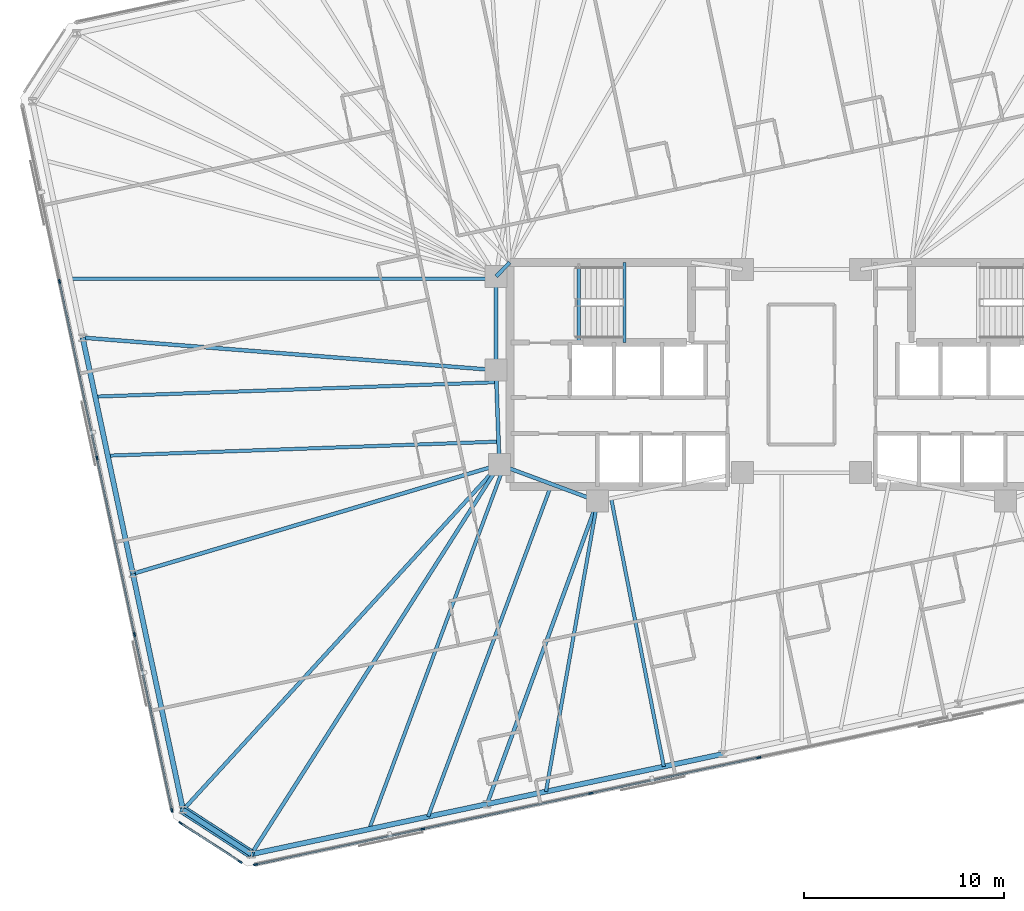
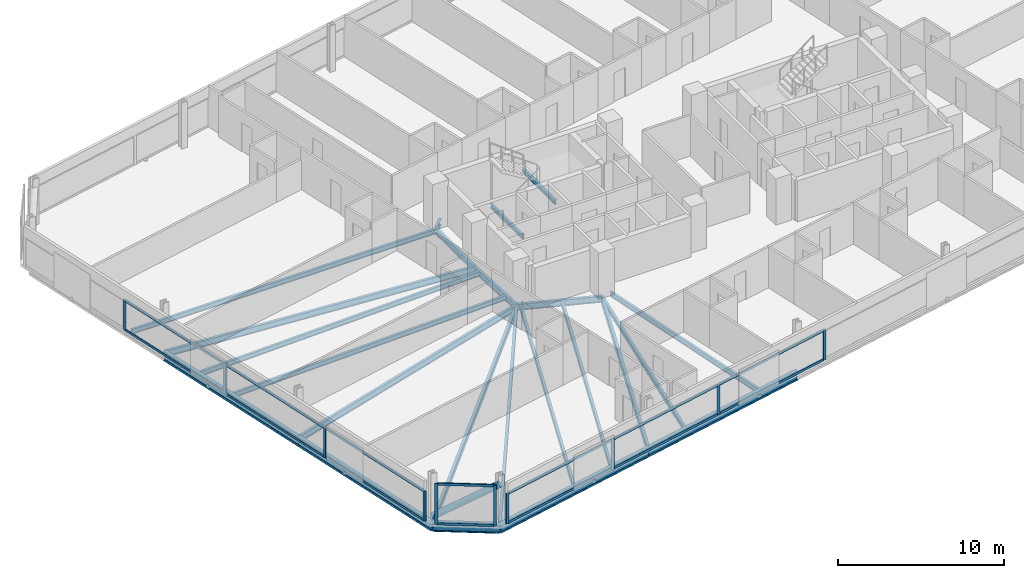
# One storey, part 6 of 20: 25 members, 23 beams, 3 elements without a shape of their own.
"""IFC4 building model written with IfcOpenShell, lengths in metres."""

from ifc_helpers import new_model, si_unit, direction, frame, origin, origin_2d, place, context, subcontext, project, spatial, rectangle, hollow_circle, i_section, extrude, material, material_profile, profile_set, type_object, element, aggregate, save


model = new_model("IFC4")

# Units and contexts
model_context = context("Model", 3, precision=1e-05, world=origin(), true_north=direction((0.0, 1.0)))
body_context = subcontext(model_context, "Body", "Model", "MODEL_VIEW")
ifc_project = project(units=[si_unit("LENGTHUNIT", "METRE"), si_unit("AREAUNIT", "SQUARE_METRE"), si_unit("VOLUMEUNIT", "CUBIC_METRE"), si_unit("PLANEANGLEUNIT", "RADIAN"), si_unit("MASSUNIT", "GRAM", prefix="KILO")], contexts=[model_context])

# Site, building, storey
site_placement = place(None, origin())
site = spatial("IfcSite", under=ifc_project, at=site_placement, CompositionType="ELEMENT")
building_placement = place(site_placement, origin())
building = spatial("IfcBuilding", under=site, at=building_placement, Name="Menara Jurai Vektor", CompositionType="ELEMENT")
storey_placement = place(building_placement, frame((0.0, 0.0, 199.0)))
storey = spatial("IfcBuildingStorey", under=building, at=storey_placement, Name="L52", CompositionType="ELEMENT", Elevation=199.0)

# Curtain wall, members
ifc_material_1 = material(Name="Anodised Pale Aluminium & Low-E Double Glazing", Category="aluminium")
curtain_wall_type = type_object("IfcCurtainWallType", Name="CW-BLK3", PredefinedType="NOTDEFINED", material=ifc_material_1)
curtain_wall_1_placement = place(storey_placement, origin())
curtain_wall_1 = element("IfcCurtainWall", 1, at=curtain_wall_1_placement, inside=storey, type_object=curtain_wall_type, Name="Unitised Curtain Wall L52 F01", PredefinedType="NOTDEFINED")
ifc_material_2 = material(Name="Anodised Pale Aluminium Mullion", Category="aluminium")
ifc_material_profile_1 = material_profile(ifc_material_2, rectangle(XDim=0.0849609375, YDim=0.205078125, at=origin_2d()), Name="ALU MUL 85x205")
ifc_profile_set_1 = profile_set([ifc_material_profile_1], Name="Anodised Pale Aluminium Mullion")
member_type_1 = type_object("IfcMemberType", Name="CW-BLK3-MUL", PredefinedType="MULLION", material=ifc_profile_set_1)
member_1_placement = place(storey_placement, frame((-27.25244140625, -24.462890625, 0.0), z_axis=(0.0, 0.0, 1.0), x_axis=(-0.207911344156, 0.978147674419, 0.0)))
member_1 = element("IfcMember", 2, at=member_1_placement, type_object=member_type_1, Name="CW-03 mullion 1", PredefinedType="MULLION", context=body_context, shape_type="SweptSolid", body=[
    extrude(rectangle(XDim=0.0849609375, YDim=0.205078125, at=origin_2d()), origin(), (0.0, 0.0, 1.0), 2.22509765625),
])
member_2_placement = place(storey_placement, frame((-18.904296875, -22.6884765625, 0.0), z_axis=(0.0, 0.0, 1.0), x_axis=(-0.207911344156, 0.978147674419, 0.0)))
member_2 = element("IfcMember", 3, at=member_2_placement, type_object=member_type_1, Name="CW-03 mullion 2", PredefinedType="MULLION", context=body_context, shape_type="SweptSolid", body=[
    extrude(rectangle(XDim=0.0849609375, YDim=0.205078125, at=origin_2d()), origin(), (0.0, 0.0, 1.0), 2.22509765625),
])
member_3_placement = place(storey_placement, frame((-10.514404296875, -20.905029296875, 0.0), z_axis=(0.0, 0.0, 1.0), x_axis=(-0.207911344156, 0.978147674419, 0.0)))
member_3 = element("IfcMember", 4, at=member_3_placement, type_object=member_type_1, Name="CW-03 mullion 3", PredefinedType="MULLION", context=body_context, shape_type="SweptSolid", body=[
    extrude(rectangle(XDim=0.0849609375, YDim=0.205078125, at=origin_2d()), origin(), (0.0, 0.0, 1.0), 2.22509765625),
])
member_4_placement = place(storey_placement, frame((-2.124755859375, -19.121826171875, 0.0), z_axis=(0.0, 0.0, 1.0), x_axis=(-0.207911344156, 0.978147674419, 0.0)))
member_4 = element("IfcMember", 5, at=member_4_placement, type_object=member_type_1, Name="CW-03 mullion 4", PredefinedType="MULLION", context=body_context, shape_type="SweptSolid", body=[
    extrude(rectangle(XDim=0.0849609375, YDim=0.205078125, at=origin_2d()), origin(), (0.0, 0.0, 1.0), 2.22509765625),
])

curtain_wall_2_placement = place(storey_placement, origin())
curtain_wall_2 = element("IfcCurtainWall", 6, at=curtain_wall_2_placement, inside=storey, type_object=curtain_wall_type, Name="Unitised Curtain Wall L52 F07", PredefinedType="NOTDEFINED")
member_5_placement = place(storey_placement, frame((-37.041259765625, 4.648193359375, 0.0), z_axis=(0.0, 0.0, 1.0), x_axis=(0.978147883949, 0.20791035839, 0.0)))
member_5 = element("IfcMember", 7, at=member_5_placement, type_object=member_type_1, Name="CW-03 mullion 2", PredefinedType="MULLION", context=body_context, shape_type="SweptSolid", body=[
    extrude(rectangle(XDim=0.0849609375, YDim=0.205078125, at=origin_2d()), origin(), (0.0, 0.0, 1.0), 2.22509765625),
])
member_6_placement = place(storey_placement, frame((-35.16796875, -4.1650390625, 0.0), z_axis=(0.0, 0.0, 1.0), x_axis=(0.978147883949, 0.20791035839, 0.0)))
member_6 = element("IfcMember", 8, at=member_6_placement, type_object=member_type_1, Name="CW-03 mullion 3", PredefinedType="MULLION", context=body_context, shape_type="SweptSolid", body=[
    extrude(rectangle(XDim=0.0849609375, YDim=0.205078125, at=origin_2d()), origin(), (0.0, 0.0, 1.0), 2.22509765625),
])
member_7_placement = place(storey_placement, frame((-33.294677734375, -12.978271484375, 0.0), z_axis=(0.0, 0.0, 1.0), x_axis=(0.978147883949, 0.20791035839, 0.0)))
member_7 = element("IfcMember", 9, at=member_7_placement, type_object=member_type_1, Name="CW-03 mullion 4", PredefinedType="MULLION", context=body_context, shape_type="SweptSolid", body=[
    extrude(rectangle(XDim=0.0849609375, YDim=0.205078125, at=origin_2d()), origin(), (0.0, 0.0, 1.0), 2.22509765625),
])
member_8_placement = place(storey_placement, frame((-31.43017578125, -21.749755859375, 0.0), z_axis=(0.0, 0.0, 1.0), x_axis=(0.978147883949, 0.20791035839, 0.0)))
member_8 = element("IfcMember", 10, at=member_8_placement, type_object=member_type_1, Name="CW-03 mullion 5", PredefinedType="MULLION", context=body_context, shape_type="SweptSolid", body=[
    extrude(rectangle(XDim=0.0849609375, YDim=0.205078125, at=origin_2d()), origin(), (0.0, 0.0, 1.0), 2.22509765625),
])

curtain_wall_3_placement = place(storey_placement, origin())
curtain_wall_3 = element("IfcCurtainWall", 11, at=curtain_wall_3_placement, inside=storey, type_object=curtain_wall_type, Name="Unitised Curtain Wall L52 F08", PredefinedType="NOTDEFINED")
member_9_placement = place(storey_placement, frame((-30.988037109375, -22.39306640625, 0.0), z_axis=(0.0, 0.0, 1.0), x_axis=(0.544617794346, 0.838684361415, 0.0)))
member_9 = element("IfcMember", 12, at=member_9_placement, type_object=member_type_1, Name="CW-03 mullion 1", PredefinedType="MULLION", context=body_context, shape_type="SweptSolid", body=[
    extrude(rectangle(XDim=0.0849609375, YDim=0.205078125, at=origin_2d()), origin(), (0.0, 0.0, 1.0), 2.9951171875),
])
member_10_placement = place(storey_placement, frame((-28.02001953125, -24.320556640625, 0.0), z_axis=(0.0, 0.0, 1.0), x_axis=(0.544617794346, 0.838684361415, 0.0)))
member_10 = element("IfcMember", 13, at=member_10_placement, type_object=member_type_1, Name="CW-03 mullion 2", PredefinedType="MULLION", context=body_context, shape_type="SweptSolid", body=[
    extrude(rectangle(XDim=0.0849609375, YDim=0.205078125, at=origin_2d()), origin(), (0.0, 0.0, 1.0), 2.9951171875),
])

# Member
ifc_material_3 = material(Name="Anodised Pale Aluminium Transom", Category="aluminium")
ifc_material_profile_2 = material_profile(ifc_material_3, rectangle(XDim=0.0849609375, YDim=0.175048828125, at=origin_2d()), Name="ALU TRN 85x175")
ifc_profile_set_2 = profile_set([ifc_material_profile_2], Name="Anodised Pale Aluminium Transom")
member_type_2 = type_object("IfcMemberType", Name="CW-BLK3-TRN", PredefinedType="USERDEFINED", material=ifc_profile_set_2)
member_11_placement = place(storey_placement, frame((-27.210693359375, -24.4541015625, 0.04248046875), z_axis=(0.978145704369, 0.207920612313, 0.0), x_axis=(-0.207920612313, 0.978145704369, 0.0)))
member_11 = element("IfcMember", 14, at=member_11_placement, type_object=member_type_2, Name="CW-03 transom 1.1", ObjectType="TRANSOM", PredefinedType="USERDEFINED", context=body_context, shape_type="SweptSolid", body=[
    extrude(rectangle(XDim=0.0849609375, YDim=0.175048828125, at=origin_2d()), origin(), (0.0, 0.0, 1.0), 8.449462890625),
])

member_12_placement = place(storey_placement, frame((-27.210693359375, -24.4541015625, 2.1826171875), z_axis=(0.978145704369, 0.207920612313, 0.0), x_axis=(-0.207920612313, 0.978145704369, 0.0)))
member_12 = element("IfcMember", 15, at=member_12_placement, type_object=member_type_2, Name="CW-03 transom 1.2", ObjectType="TRANSOM", PredefinedType="USERDEFINED", context=body_context, shape_type="SweptSolid", body=[
    extrude(rectangle(XDim=0.0849609375, YDim=0.175048828125, at=origin_2d()), origin(), (0.0, 0.0, 1.0), 8.449462890625),
])

member_13_placement = place(storey_placement, frame((-18.862548828125, -22.6796875, 0.04248046875), z_axis=(0.978146500933, 0.207916864907, 0.0), x_axis=(-0.207916864907, 0.978146500933, 0.0)))
member_13 = element("IfcMember", 16, at=member_13_placement, type_object=member_type_2, Name="CW-03 transom 2.1", ObjectType="TRANSOM", PredefinedType="USERDEFINED", context=body_context, shape_type="SweptSolid", body=[
    extrude(rectangle(XDim=0.0849609375, YDim=0.175048828125, at=origin_2d()), origin(), (0.0, 0.0, 1.0), 8.491943359375),
])

member_14_placement = place(storey_placement, frame((-18.862548828125, -22.6796875, 2.1826171875), z_axis=(0.978146500933, 0.207916864907, 0.0), x_axis=(-0.207916864907, 0.978146500933, 0.0)))
member_14 = element("IfcMember", 17, at=member_14_placement, type_object=member_type_2, Name="CW-03 transom 2.2", ObjectType="TRANSOM", PredefinedType="USERDEFINED", context=body_context, shape_type="SweptSolid", body=[
    extrude(rectangle(XDim=0.0849609375, YDim=0.175048828125, at=origin_2d()), origin(), (0.0, 0.0, 1.0), 8.491943359375),
])

member_15_placement = place(storey_placement, frame((-10.472900390625, -20.896240234375, 0.04248046875), z_axis=(0.978147743708, 0.207911018178, 0.0), x_axis=(-0.207911018178, 0.978147743708, 0.0)))
member_15 = element("IfcMember", 18, at=member_15_placement, type_object=member_type_2, Name="CW-03 transom 3.1", ObjectType="TRANSOM", PredefinedType="USERDEFINED", context=body_context, shape_type="SweptSolid", body=[
    extrude(rectangle(XDim=0.0849609375, YDim=0.175048828125, at=origin_2d()), origin(), (0.0, 0.0, 1.0), 8.4921875),
])

member_16_placement = place(storey_placement, frame((-10.472900390625, -20.896240234375, 2.1826171875), z_axis=(0.978147743708, 0.207911018178, 0.0), x_axis=(-0.207911018178, 0.978147743708, 0.0)))
member_16 = element("IfcMember", 19, at=member_16_placement, type_object=member_type_2, Name="CW-03 transom 3.2", ObjectType="TRANSOM", PredefinedType="USERDEFINED", context=body_context, shape_type="SweptSolid", body=[
    extrude(rectangle(XDim=0.0849609375, YDim=0.175048828125, at=origin_2d()), origin(), (0.0, 0.0, 1.0), 8.4921875),
])

aggregate(curtain_wall_1, [member_1, member_2, member_3, member_4, member_11, member_12, member_13, member_14, member_15, member_16])

member_17_placement = place(storey_placement, frame((-37.032470703125, 4.6064453125, 0.04248046875), z_axis=(0.207922224243, -0.978145361726, 0.0), x_axis=(0.978145361726, 0.207922224243, 0.0)))
member_17 = element("IfcMember", 20, at=member_17_placement, type_object=member_type_2, Name="CW-03 transom 2.1", ObjectType="TRANSOM", PredefinedType="USERDEFINED", context=body_context, shape_type="SweptSolid", body=[
    extrude(rectangle(XDim=0.0849609375, YDim=0.175048828125, at=origin_2d()), origin(), (0.0, 0.0, 1.0), 8.925048828125),
])

member_18_placement = place(storey_placement, frame((-37.032470703125, 4.6064453125, 2.1826171875), z_axis=(0.207922224243, -0.978145361726, 0.0), x_axis=(0.978145361726, 0.207922224243, 0.0)))
member_18 = element("IfcMember", 21, at=member_18_placement, type_object=member_type_2, Name="CW-03 transom 2.2", ObjectType="TRANSOM", PredefinedType="USERDEFINED", context=body_context, shape_type="SweptSolid", body=[
    extrude(rectangle(XDim=0.0849609375, YDim=0.175048828125, at=origin_2d()), origin(), (0.0, 0.0, 1.0), 8.925048828125),
])

member_19_placement = place(storey_placement, frame((-35.1591796875, -4.20654296875, 0.04248046875), z_axis=(0.207922224243, -0.978145361726, 0.0), x_axis=(0.978145361726, 0.207922224243, 0.0)))
member_19 = element("IfcMember", 22, at=member_19_placement, type_object=member_type_2, Name="CW-03 transom 3.1", ObjectType="TRANSOM", PredefinedType="USERDEFINED", context=body_context, shape_type="SweptSolid", body=[
    extrude(rectangle(XDim=0.0849609375, YDim=0.175048828125, at=origin_2d()), origin(), (0.0, 0.0, 1.0), 8.925048828125),
])

member_20_placement = place(storey_placement, frame((-35.1591796875, -4.20654296875, 2.1826171875), z_axis=(0.207922224243, -0.978145361726, 0.0), x_axis=(0.978145361726, 0.207922224243, 0.0)))
member_20 = element("IfcMember", 23, at=member_20_placement, type_object=member_type_2, Name="CW-03 transom 3.2", ObjectType="TRANSOM", PredefinedType="USERDEFINED", context=body_context, shape_type="SweptSolid", body=[
    extrude(rectangle(XDim=0.0849609375, YDim=0.175048828125, at=origin_2d()), origin(), (0.0, 0.0, 1.0), 8.925048828125),
])

member_21_placement = place(storey_placement, frame((-33.285888671875, -13.019775390625, 0.04248046875), z_axis=(0.207925814542, -0.978144598537, 0.0), x_axis=(0.978144598537, 0.207925814542, 0.0)))
member_21 = element("IfcMember", 24, at=member_21_placement, type_object=member_type_2, Name="CW-03 transom 4.1", ObjectType="TRANSOM", PredefinedType="USERDEFINED", context=body_context, shape_type="SweptSolid", body=[
    extrude(rectangle(XDim=0.0849609375, YDim=0.175048828125, at=origin_2d()), origin(), (0.0, 0.0, 1.0), 8.882568359375),
])

member_22_placement = place(storey_placement, frame((-33.285888671875, -13.019775390625, 2.1826171875), z_axis=(0.207925814542, -0.978144598537, 0.0), x_axis=(0.978144598537, 0.207925814542, 0.0)))
member_22 = element("IfcMember", 25, at=member_22_placement, type_object=member_type_2, Name="CW-03 transom 4.2", ObjectType="TRANSOM", PredefinedType="USERDEFINED", context=body_context, shape_type="SweptSolid", body=[
    extrude(rectangle(XDim=0.0849609375, YDim=0.175048828125, at=origin_2d()), origin(), (0.0, 0.0, 1.0), 8.882568359375),
])

aggregate(curtain_wall_2, [member_5, member_6, member_7, member_8, member_17, member_18, member_19, member_20, member_21, member_22])

member_23_placement = place(storey_placement, frame((-30.952392578125, -22.416259765625, 0.04248046875), z_axis=(0.83867770631, -0.54462804274, 0.0), x_axis=(0.54462804274, 0.83867770631, 0.0)))
member_23 = element("IfcMember", 26, at=member_23_placement, type_object=member_type_2, Name="CW-03 transom 1.1", ObjectType="TRANSOM", PredefinedType="USERDEFINED", context=body_context, shape_type="SweptSolid", body=[
    extrude(rectangle(XDim=0.0849609375, YDim=0.175048828125, at=origin_2d()), origin(), (0.0, 0.0, 1.0), 3.453857421875),
])

member_24_placement = place(storey_placement, frame((-30.952392578125, -22.416259765625, 2.952392578125), z_axis=(0.83867770631, -0.54462804274, 0.0), x_axis=(0.54462804274, 0.83867770631, 0.0)))
member_24 = element("IfcMember", 27, at=member_24_placement, type_object=member_type_2, Name="CW-03 transom 1.2", ObjectType="TRANSOM", PredefinedType="USERDEFINED", context=body_context, shape_type="SweptSolid", body=[
    extrude(rectangle(XDim=0.0849609375, YDim=0.175048828125, at=origin_2d()), origin(), (0.0, 0.0, 1.0), 3.453857421875),
])

aggregate(curtain_wall_3, [member_9, member_10, member_23, member_24])

# Beams
ifc_material_4 = material(Name="Steel S355", Category="steel")
ifc_material_profile_3 = material_profile(ifc_material_4, i_section(OverallWidth=0.19091796875, OverallDepth=0.4599609375, WebThickness=0.010009765625, FlangeThickness=0.01611328125, FilletRadius=0.010009765625, at=origin_2d()), Name="UKB 457x191x82")
ifc_profile_set_3 = profile_set([ifc_material_profile_3], Name="Steel S355")
beam_type_1 = type_object("IfcBeamType", Name="STR-BM-457", PredefinedType="BEAM", material=ifc_profile_set_3)
beam_1_placement = place(storey_placement, frame((-15.25, 4.89990234375, -0.455078125), z_axis=(0.701871936926, 0.712303154672, 0.0), x_axis=(-0.712303154672, 0.701871936926, 0.0)))
element("IfcBeam", 28, at=beam_1_placement, inside=storey, type_object=beam_type_1, Name="Core Ring Header Girder L52-CHW-N1", PredefinedType="BEAM", context=body_context, shape_type="SweptSolid", body=[
    extrude(i_section(OverallWidth=0.19091796875, OverallDepth=0.4599609375, WebThickness=0.010009765625, FlangeThickness=0.01611328125, FilletRadius=0.010009765625, at=origin_2d()), origin(), (0.0, 0.0, 1.0), 0.98291015625),
])
beam_2_placement = place(storey_placement, frame((-15.25, 0.219970703125, -0.455078125), z_axis=(0.0, 1.0, 0.0), x_axis=(-1.0, 0.0, 0.0)))
element("IfcBeam", 29, at=beam_2_placement, inside=storey, type_object=beam_type_1, Name="Core Ring Header Girder L52-CHW-W1", PredefinedType="BEAM", context=body_context, shape_type="SweptSolid", body=[
    extrude(i_section(OverallWidth=0.19091796875, OverallDepth=0.4599609375, WebThickness=0.010009765625, FlangeThickness=0.01611328125, FilletRadius=0.010009765625, at=origin_2d()), origin(), (0.0, 0.0, 1.0), 4.679931640625),
])
beam_3_placement = place(storey_placement, frame((-15.080078125, -4.5, -0.455078125), z_axis=(-0.035977314146, 0.999352606874, 0.0), x_axis=(-0.999352606874, -0.035977314146, 0.0)))
element("IfcBeam", 30, at=beam_3_placement, inside=storey, type_object=beam_type_1, Name="Core Ring Header Girder L52-CHW-W2", PredefinedType="BEAM", context=body_context, shape_type="SweptSolid", body=[
    extrude(i_section(OverallWidth=0.19091796875, OverallDepth=0.4599609375, WebThickness=0.010009765625, FlangeThickness=0.01611328125, FilletRadius=0.010009765625, at=origin_2d()), origin(), (0.0, 0.0, 1.0), 4.72314453125),
])
beam_4_placement = place(storey_placement, frame((-15.080078125, -4.5, -0.455078125), z_axis=(0.937424400887, -0.348188874925, 0.0), x_axis=(0.348188874925, 0.937424400887, 0.0)))
element("IfcBeam", 31, at=beam_4_placement, inside=storey, type_object=beam_type_1, Name="Core Ring Header Girder L52-CHW-S1", PredefinedType="BEAM", context=body_context, shape_type="SweptSolid", body=[
    extrude(i_section(OverallWidth=0.19091796875, OverallDepth=0.4599609375, WebThickness=0.010009765625, FlangeThickness=0.01611328125, FilletRadius=0.010009765625, at=origin_2d()), origin(), (0.0, 0.0, 1.0), 5.227294921875),
])
beam_5_placement = place(storey_placement, frame((-27.46484375, -23.94580078125, -0.455078125), z_axis=(0.537189280991, 0.843461721946, 0.0), x_axis=(-0.843461721946, 0.537189280991, 0.0)))
element("IfcBeam", 32, at=beam_5_placement, inside=storey, type_object=beam_type_1, Name="Radial Floor Girder L52-S1", PredefinedType="BEAM", context=body_context, shape_type="SweptSolid", body=[
    extrude(i_section(OverallWidth=0.19091796875, OverallDepth=0.4599609375, WebThickness=0.010009765625, FlangeThickness=0.01611328125, FilletRadius=0.010009765625, at=origin_2d()), origin(), (0.0, 0.0, 1.0), 23.0546875),
])
beam_6_placement = place(storey_placement, frame((-15.696533203125, -21.4443359375, -0.455078125), z_axis=(0.342668294367, 0.939456459893, 0.0), x_axis=(-0.939456459893, 0.342668294367, 0.0)))
element("IfcBeam", 33, at=beam_6_placement, inside=storey, type_object=beam_type_1, Name="Radial Floor Girder L52-S2", PredefinedType="BEAM", context=body_context, shape_type="SweptSolid", body=[
    extrude(i_section(OverallWidth=0.19091796875, OverallDepth=0.4599609375, WebThickness=0.010009765625, FlangeThickness=0.01611328125, FilletRadius=0.010009765625, at=origin_2d()), origin(), (0.0, 0.0, 1.0), 16.098876953125),
])
beam_7_placement = place(storey_placement, frame((-35.8828125, 1.843505859375, -0.455078125), z_axis=(0.996918476483, -0.078444574364, 0.0), x_axis=(0.078444574364, 0.996918476483, 0.0)))
element("IfcBeam", 34, at=beam_7_placement, inside=storey, type_object=beam_type_1, Name="Radial Floor Girder L52-W2", PredefinedType="BEAM", context=body_context, shape_type="SweptSolid", body=[
    extrude(i_section(OverallWidth=0.19091796875, OverallDepth=0.4599609375, WebThickness=0.010009765625, FlangeThickness=0.01611328125, FilletRadius=0.010009765625, at=origin_2d()), origin(), (0.0, 0.0, 1.0), 20.696533203125),
])
beam_8_placement = place(storey_placement, frame((-33.377197265625, -9.94482421875, -0.455078125), z_axis=(0.958462775407, 0.285217650505, 0.0), x_axis=(-0.285217650505, 0.958462775407, 0.0)))
element("IfcBeam", 35, at=beam_8_placement, inside=storey, type_object=beam_type_1, Name="Radial Floor Girder L52-W3", PredefinedType="BEAM", context=body_context, shape_type="SweptSolid", body=[
    extrude(i_section(OverallWidth=0.19091796875, OverallDepth=0.4599609375, WebThickness=0.010009765625, FlangeThickness=0.01611328125, FilletRadius=0.010009765625, at=origin_2d()), origin(), (0.0, 0.0, 1.0), 19.090087890625),
])
beam_9_placement = place(storey_placement, frame((-30.871337890625, -21.7333984375, -0.455078125), z_axis=(0.675584615662, 0.737282460852, 0.0), x_axis=(-0.737282460852, 0.675584615662, 0.0)))
element("IfcBeam", 36, at=beam_9_placement, inside=storey, type_object=beam_type_1, Name="Radial Floor Girder L52-W4", PredefinedType="BEAM", context=body_context, shape_type="SweptSolid", body=[
    extrude(i_section(OverallWidth=0.19091796875, OverallDepth=0.4599609375, WebThickness=0.010009765625, FlangeThickness=0.01611328125, FilletRadius=0.010009765625, at=origin_2d()), origin(), (0.0, 0.0, 1.0), 23.374267578125),
])

# Member
ifc_material_5 = material(Name="Steel S460", Category="steel")
ifc_material_profile_4 = material_profile(ifc_material_5, hollow_circle(Radius=0.228515625, WallThickness=0.01611328125, at=origin_2d()), Name="CHS 457x16")
ifc_profile_set_4 = profile_set([ifc_material_profile_4], Name="Steel S460")
member_type_3 = type_object("IfcMemberType", Name="STR-BR-457", PredefinedType="BRACE", material=ifc_profile_set_4)
member_25_placement = place(storey_placement, frame((-30.871337890625, -21.7333984375, 0.14990234375), z_axis=(0.714595261057, -0.464105372013, 0.52341170845), x_axis=(0.544673525608, 0.838648168484, 0.0)))
element("IfcMember", 37, at=member_25_placement, inside=storey, type_object=member_type_3, Name="Exoskeleton Corner Brace L52-4", PredefinedType="BRACE", context=body_context, shape_type="SweptSolid", body=[
    extrude(hollow_circle(Radius=0.228515625, WallThickness=0.01611328125, at=origin_2d()), origin(), (0.0, 0.0, 1.0), 4.76708984375),
])

# Beams
ifc_material_profile_5 = material_profile(ifc_material_4, i_section(OverallWidth=0.172119140625, OverallDepth=0.35498046875, WebThickness=0.007080078125, FlangeThickness=0.011962890625, FilletRadius=0.010009765625, at=origin_2d()), Name="UKB 356x171x51")
ifc_profile_set_5 = profile_set([ifc_material_profile_5], Name="Steel S355")
beam_type_2 = type_object("IfcBeamType", Name="STR-JS-356", PredefinedType="JOIST", material=ifc_profile_set_5)
beam_10_placement = place(storey_placement, frame((-21.580810546875, -22.695068359375, -0.402587890625), z_axis=(0.348190019635, 0.937423975705, 0.0), x_axis=(-0.937423975705, 0.348190019635, 0.0)))
element("IfcBeam", 38, at=beam_10_placement, inside=storey, type_object=beam_type_2, Name="Radial Secondary Floor Joist L52-JS01", PredefinedType="JOIST", context=body_context, shape_type="SweptSolid", body=[
    extrude(i_section(OverallWidth=0.172119140625, OverallDepth=0.35498046875, WebThickness=0.007080078125, FlangeThickness=0.011962890625, FilletRadius=0.010009765625, at=origin_2d()), origin(), (0.0, 0.0, 1.0), 19.320068359375),
])
beam_11_placement = place(storey_placement, frame((-18.638671875, -22.069580078125, -0.402587890625), z_axis=(0.348193798412, 0.937422572135, 0.0), x_axis=(-0.937422572135, 0.348193798412, 0.0)))
element("IfcBeam", 39, at=beam_11_placement, inside=storey, type_object=beam_type_2, Name="Radial Secondary Floor Joist L52-JS02", PredefinedType="JOIST", context=body_context, shape_type="SweptSolid", body=[
    extrude(i_section(OverallWidth=0.172119140625, OverallDepth=0.35498046875, WebThickness=0.007080078125, FlangeThickness=0.011962890625, FilletRadius=0.010009765625, at=origin_2d()), origin(), (0.0, 0.0, 1.0), 17.709228515625),
])
beam_12_placement = place(storey_placement, frame((-12.75439453125, -20.819091796875, -0.402587890625), z_axis=(0.174826548521, 0.984599247375, 0.0), x_axis=(-0.984599247375, 0.174826548521, 0.0)))
element("IfcBeam", 40, at=beam_12_placement, inside=storey, type_object=beam_type_2, Name="Radial Secondary Floor Joist L52-JS03", PredefinedType="JOIST", context=body_context, shape_type="SweptSolid", body=[
    extrude(i_section(OverallWidth=0.172119140625, OverallDepth=0.35498046875, WebThickness=0.007080078125, FlangeThickness=0.011962890625, FilletRadius=0.010009765625, at=origin_2d()), origin(), (0.0, 0.0, 1.0), 14.725830078125),
])
beam_13_placement = place(storey_placement, frame((-6.870361328125, -19.568359375, -0.402587890625), z_axis=(-0.19273083746, 0.981251662058, 0.0), x_axis=(-0.981251662058, -0.19273083746, 0.0)))
element("IfcBeam", 41, at=beam_13_placement, inside=storey, type_object=beam_type_2, Name="Radial Secondary Floor Joist L52-JS04", PredefinedType="JOIST", context=body_context, shape_type="SweptSolid", body=[
    extrude(i_section(OverallWidth=0.172119140625, OverallDepth=0.35498046875, WebThickness=0.007080078125, FlangeThickness=0.011962890625, FilletRadius=0.010009765625, at=origin_2d()), origin(), (0.0, 0.0, 1.0), 13.6376953125),
])
beam_14_placement = place(storey_placement, frame((-36.50927734375, 4.790771484375, -0.402587890625), z_axis=(1.0, 0.0, 0.0), x_axis=(0.0, 1.0, 0.0)))
element("IfcBeam", 42, at=beam_14_placement, inside=storey, type_object=beam_type_2, Name="Radial Secondary Floor Joist L52-JS30", PredefinedType="JOIST", context=body_context, shape_type="SweptSolid", body=[
    extrude(i_section(OverallWidth=0.172119140625, OverallDepth=0.35498046875, WebThickness=0.007080078125, FlangeThickness=0.011962890625, FilletRadius=0.010009765625, at=origin_2d()), origin(), (0.0, 0.0, 1.0), 21.25927734375),
])
beam_15_placement = place(storey_placement, frame((-35.25634765625, -1.103515625, -0.402587890625), z_axis=(0.999351866858, 0.035997863919, 0.0), x_axis=(-0.035997863919, 0.999351866858, 0.0)))
element("IfcBeam", 43, at=beam_15_placement, inside=storey, type_object=beam_type_2, Name="Radial Secondary Floor Joist L52-JS31", PredefinedType="JOIST", context=body_context, shape_type="SweptSolid", body=[
    extrude(i_section(OverallWidth=0.172119140625, OverallDepth=0.35498046875, WebThickness=0.007080078125, FlangeThickness=0.011962890625, FilletRadius=0.010009765625, at=origin_2d()), origin(), (0.0, 0.0, 1.0), 20.041015625),
])
beam_16_placement = place(storey_placement, frame((-34.6298828125, -4.05078125, -0.402587890625), z_axis=(0.999352006705, 0.035993981369, 0.0), x_axis=(-0.035993981369, 0.999352006705, 0.0)))
element("IfcBeam", 44, at=beam_16_placement, inside=storey, type_object=beam_type_2, Name="Radial Secondary Floor Joist L52-JS32", PredefinedType="JOIST", context=body_context, shape_type="SweptSolid", body=[
    extrude(i_section(OverallWidth=0.172119140625, OverallDepth=0.35498046875, WebThickness=0.007080078125, FlangeThickness=0.011962890625, FilletRadius=0.010009765625, at=origin_2d()), origin(), (0.0, 0.0, 1.0), 19.52099609375),
])
ifc_material_profile_6 = material_profile(ifc_material_4, i_section(OverallWidth=0.1650390625, OverallDepth=0.302978515625, WebThickness=0.006103515625, FlangeThickness=0.010009765625, FilletRadius=0.009033203125, at=origin_2d()), Name="UKB 305x165x40")
ifc_profile_set_6 = profile_set([ifc_material_profile_6], Name="Steel S355")
beam_type_3 = type_object("IfcBeamType", Name="STR-LN-305", PredefinedType="LINTEL", material=ifc_profile_set_6)
beam_17_placement = place(storey_placement, frame((-11.1201171875, 1.60009765625, -0.37646484375), z_axis=(0.0, 1.0, 0.0), x_axis=(-1.0, 0.0, 0.0)))
element("IfcBeam", 45, at=beam_17_placement, inside=storey, type_object=beam_type_3, Name="Stair Well Floor Trimmer ST1 L52", PredefinedType="LINTEL", context=body_context, shape_type="SweptSolid", body=[
    extrude(i_section(OverallWidth=0.1650390625, OverallDepth=0.302978515625, WebThickness=0.006103515625, FlangeThickness=0.010009765625, FilletRadius=0.009033203125, at=origin_2d()), origin(), (0.0, 0.0, 1.0), 3.81982421875),
])
beam_18_placement = place(storey_placement, frame((-8.830078125, 1.60009765625, 1.348388671875), z_axis=(0.0, 1.0, 0.0), x_axis=(-1.0, 0.0, 0.0)))
element("IfcBeam", 46, at=beam_18_placement, inside=storey, type_object=beam_type_3, Name="Stair Half-Landing Nosing Trimmer ST1-1 L52", PredefinedType="LINTEL", context=body_context, shape_type="SweptSolid", body=[
    extrude(i_section(OverallWidth=0.1650390625, OverallDepth=0.302978515625, WebThickness=0.006103515625, FlangeThickness=0.010009765625, FilletRadius=0.009033203125, at=origin_2d()), origin(), (0.0, 0.0, 1.0), 4.0),
])
ifc_material_profile_7 = material_profile(ifc_material_5, i_section(OverallWidth=0.256103515625, OverallDepth=0.693115234375, WebThickness=0.013916015625, FlangeThickness=0.02392578125, FilletRadius=0.014892578125, at=origin_2d()), Name="UKB 686x254x170")
ifc_profile_set_7 = profile_set([ifc_material_profile_7], Name="Steel S460")
beam_type_4 = type_object("IfcBeamType", Name="STR-SP-686", PredefinedType="SPANDREL", material=ifc_profile_set_7)
beam_19_placement = place(storey_placement, frame((-27.46484375, -23.94580078125, -0.571533203125), z_axis=(0.978147039247, 0.207914332389, 0.0), x_axis=(-0.207914332389, 0.978147039247, 0.0)))
element("IfcBeam", 47, at=beam_19_placement, inside=storey, type_object=beam_type_4, Name="Exoskeleton Spandrel Beam L52-01", PredefinedType="SPANDREL", context=body_context, shape_type="SweptSolid", body=[
    extrude(i_section(OverallWidth=0.256103515625, OverallDepth=0.693115234375, WebThickness=0.013916015625, FlangeThickness=0.02392578125, FilletRadius=0.014892578125, at=origin_2d()), origin(), (0.0, 0.0, 1.0), 12.03125),
])
beam_20_placement = place(storey_placement, frame((-15.696533203125, -21.4443359375, -0.571533203125), z_axis=(0.97814616202, 0.207918459318, 0.0), x_axis=(-0.207918459318, 0.97814616202, 0.0)))
element("IfcBeam", 48, at=beam_20_placement, inside=storey, type_object=beam_type_4, Name="Exoskeleton Spandrel Beam L52-02", PredefinedType="SPANDREL", context=body_context, shape_type="SweptSolid", body=[
    extrude(i_section(OverallWidth=0.256103515625, OverallDepth=0.693115234375, WebThickness=0.013916015625, FlangeThickness=0.02392578125, FilletRadius=0.014892578125, at=origin_2d()), origin(), (0.0, 0.0, 1.0), 12.031005859375),
])
beam_21_placement = place(storey_placement, frame((-35.8828125, 1.843505859375, -0.571533203125), z_axis=(0.207906000604, -0.978148810209, 0.0), x_axis=(0.978148810209, 0.207906000604, 0.0)))
element("IfcBeam", 49, at=beam_21_placement, inside=storey, type_object=beam_type_4, Name="Exoskeleton Spandrel Beam L52-18", PredefinedType="SPANDREL", context=body_context, shape_type="SweptSolid", body=[
    extrude(i_section(OverallWidth=0.256103515625, OverallDepth=0.693115234375, WebThickness=0.013916015625, FlangeThickness=0.02392578125, FilletRadius=0.014892578125, at=origin_2d()), origin(), (0.0, 0.0, 1.0), 12.0517578125),
])
beam_22_placement = place(storey_placement, frame((-33.377197265625, -9.94482421875, -0.571533203125), z_axis=(0.207921262698, -0.978145566119, 0.0), x_axis=(0.978145566119, 0.207921262698, 0.0)))
element("IfcBeam", 50, at=beam_22_placement, inside=storey, type_object=beam_type_4, Name="Exoskeleton Spandrel Beam L52-19", PredefinedType="SPANDREL", context=body_context, shape_type="SweptSolid", body=[
    extrude(i_section(OverallWidth=0.256103515625, OverallDepth=0.693115234375, WebThickness=0.013916015625, FlangeThickness=0.02392578125, FilletRadius=0.014892578125, at=origin_2d()), origin(), (0.0, 0.0, 1.0), 12.052001953125),
])
beam_23_placement = place(storey_placement, frame((-30.871337890625, -21.7333984375, -0.571533203125), z_axis=(0.838648168484, -0.544673525608, 0.0), x_axis=(0.544673525608, 0.838648168484, 0.0)))
element("IfcBeam", 51, at=beam_23_placement, inside=storey, type_object=beam_type_4, Name="Exoskeleton Spandrel Beam L52-20", PredefinedType="SPANDREL", context=body_context, shape_type="SweptSolid", body=[
    extrude(i_section(OverallWidth=0.256103515625, OverallDepth=0.693115234375, WebThickness=0.013916015625, FlangeThickness=0.02392578125, FilletRadius=0.014892578125, at=origin_2d()), origin(), (0.0, 0.0, 1.0), 4.061767578125),
])

save(model, "model.ifc")
